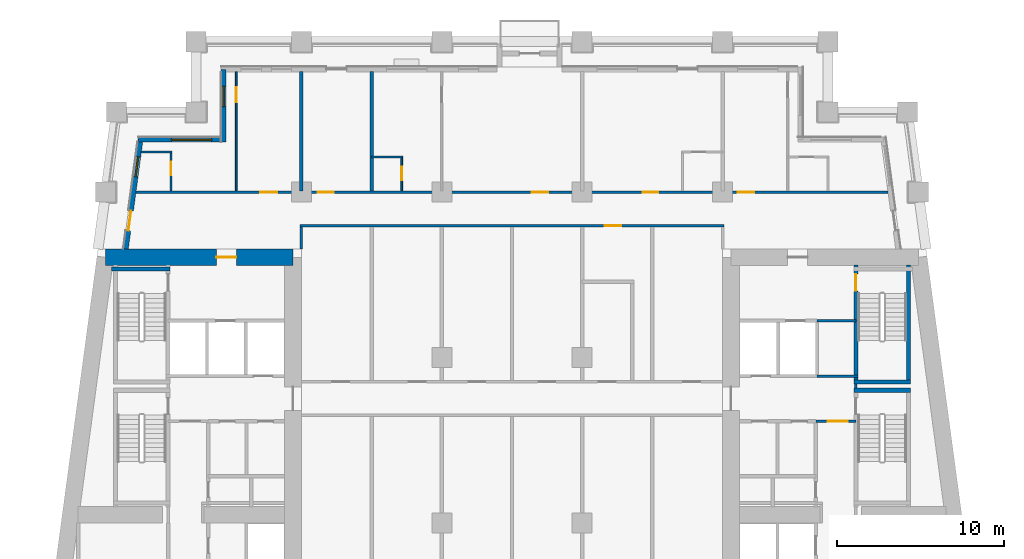
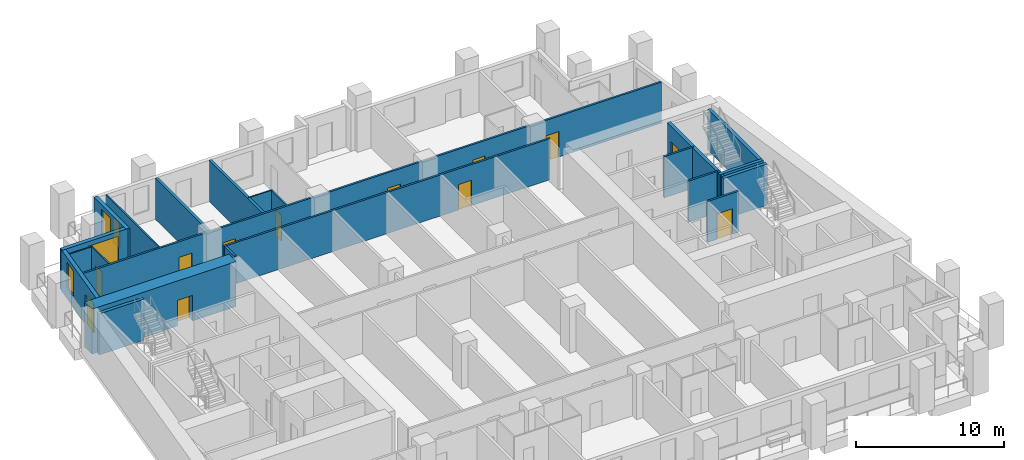
# One storey, part 6 of 13: 23 walls, 13 doors, 3 windows, 16 openings.
"""IFC4 building model written with IfcOpenShell, lengths in metres."""

from ifc_helpers import new_model, si_unit, direction, frame, frame_2d, origin, place, context, subcontext, project, spatial, rectangle, extrude, material, layer, layer_set, type_object, element, fill, save


model = new_model("IFC4")

# Units and contexts
model_context = context("Model", 3, precision=1e-05, world=origin(), true_north=direction((0.0, 1.0)))
body_context = subcontext(model_context, "Body", "Model", "MODEL_VIEW")
ifc_project = project(units=[si_unit("LENGTHUNIT", "METRE"), si_unit("AREAUNIT", "SQUARE_METRE"), si_unit("VOLUMEUNIT", "CUBIC_METRE"), si_unit("PLANEANGLEUNIT", "RADIAN"), si_unit("MASSUNIT", "GRAM", prefix="KILO")], contexts=[model_context])

# Site, building, storey
site_placement = place(None, origin())
site = spatial("IfcSite", under=ifc_project, at=site_placement, CompositionType="ELEMENT")
building_placement = place(site_placement, origin())
building = spatial("IfcBuilding", under=site, at=building_placement, Name="Candeia Pilgrim Tower and Theatre", CompositionType="ELEMENT")
storey_placement = place(building_placement, frame((0.0, 0.0, 102.10009765625)))
storey = spatial("IfcBuildingStorey", under=building, at=storey_placement, Name="L23", CompositionType="ELEMENT", Elevation=102.10009765625)

# Wall, opening, door
ifc_material_1 = material(Name="Concrete C70/85", Category="concrete")
ifc_layer_1 = layer(ifc_material_1, 1.0)
ifc_layer_set_1 = layer_set([ifc_layer_1], Name="Core wall 1000 C70/85")
wall_type_1 = type_object("IfcWallType", Name="Core wall 1000 C70/85", PredefinedType="SHEAR", material=ifc_layer_set_1)
wall_1_placement = place(storey_placement, frame((89.06787109375, 131.89990234375, 0.0), z_axis=(0.0, 0.0, 1.0), x_axis=(1.0, 0.0, 0.0)))
wall_1 = element("IfcWall", 1, at=wall_1_placement, inside=storey, type_object=wall_type_1, Name="Core wall W1", PredefinedType="SHEAR", context=body_context, shape_type="SweptSolid", body=[
    extrude(rectangle(XDim=11.232177734375, YDim=1.0, at=frame_2d((5.6162109375, 0.0))), origin(), (0.0, 0.0, 1.0), 3.699951171875),
])
opening_1_placement = place(wall_1_placement, frame((6.6455078125, 0.0, 0.0)))
opening_1 = element("IfcOpeningElement", 2, at=opening_1_placement, cuts=wall_1, Name="Opening L23-D060", PredefinedType="OPENING", context=body_context, shape_type="SweptSolid", body=[
    extrude(rectangle(XDim=1.199951171875, YDim=2.10009765625, at=frame_2d((0.60009765625, 1.050048828125))), frame((0.0, 0.510009765625, 0.0), z_axis=(0.0, -1.0, 0.0), x_axis=(1.0, 0.0, 0.0)), (0.0, 0.0, 1.0), 1.02001953125),
])
ifc_material_2 = material(Name="Steel fire door set", Category="steel")
door_type_1 = type_object("IfcDoorType", Name="D-1200-FD60", OperationType="NOTDEFINED", PredefinedType="DOOR", material=ifc_material_2)
door_1_placement = place(opening_1_placement, origin())
door_1 = element("IfcDoor", 3, at=door_1_placement, inside=storey, type_object=door_type_1, Name="Door L23-D060", OperationType="SINGLE_SWING_LEFT", OverallHeight=2.10009765625, OverallWidth=1.199951171875, PredefinedType="DOOR", context=body_context, shape_type="SweptSolid", body=[
    extrude(rectangle(XDim=1.199951171875, YDim=2.10009765625, at=frame_2d((0.60009765625, 1.050048828125))), frame((0.0, 0.02490234375, 0.0), z_axis=(0.0, -1.0, 0.0), x_axis=(1.0, 0.0, 0.0)), (0.0, 0.0, 1.0), 0.050048828125),
])
fill(opening_1, door_1)

# Wall, opening, window
ifc_material_3 = material(Name="Ceramic block masonry", Category="masonry")
ifc_layer_2 = layer(ifc_material_3, 0.300048828125)
ifc_layer_set_2 = layer_set([ifc_layer_2], Name="EW1 glazing-line wall 300")
wall_type_2 = type_object("IfcWallType", Name="EW1 glazing-line wall 300", PredefinedType="SOLIDWALL", material=ifc_layer_set_2)
wall_2_placement = place(storey_placement, frame((96.14990234375, 143.14990234375, 0.0), z_axis=(0.0, 0.0, 1.0), x_axis=(0.0, -1.0, 0.0)))
wall_2 = element("IfcWall", 4, at=wall_2_placement, inside=storey, type_object=wall_type_2, Name="External wall L23-7.0", PredefinedType="SOLIDWALL", context=body_context, shape_type="SweptSolid", body=[
    extrude(rectangle(XDim=4.349853515625, YDim=0.300048828125, at=frame_2d((2.1748046875, 0.0))), origin(), (0.0, 0.0, 1.0), 3.3798828125),
])
opening_2_placement = place(wall_2_placement, frame((1.02490234375, 0.0, 0.89990234375)))
opening_2 = element("IfcOpeningElement", 5, at=opening_2_placement, cuts=wall_2, Name="Opening W-B", PredefinedType="OPENING", context=body_context, shape_type="SweptSolid", body=[
    extrude(rectangle(XDim=1.199951171875, YDim=2.10009765625, at=frame_2d((0.60009765625, 1.050048828125))), frame((0.0, 0.16015625, 0.0), z_axis=(0.0, -1.0, 0.0), x_axis=(1.0, 0.0, 0.0)), (0.0, 0.0, 1.0), 0.320068359375),
])
ifc_material_4 = material(Name="Aluminium framed double glazing", Category="aluminium")
window_type_1 = type_object("IfcWindowType", Name="W-B window 1200x2100", PartitioningType="SINGLE_PANEL", PredefinedType="WINDOW", material=ifc_material_4)
window_1_placement = place(opening_2_placement, origin())
window_1 = element("IfcWindow", 6, at=window_1_placement, inside=storey, type_object=window_type_1, Name="Window W-B L23", OverallHeight=2.10009765625, OverallWidth=1.199951171875, PartitioningType="SINGLE_PANEL", PredefinedType="WINDOW", context=body_context, shape_type="SweptSolid", body=[
    extrude(rectangle(XDim=1.199951171875, YDim=2.10009765625, at=frame_2d((0.60009765625, 1.050048828125))), frame((0.0, 0.030029296875, 0.0), z_axis=(0.0, -1.0, 0.0), x_axis=(1.0, 0.0, 0.0)), (0.0, 0.0, 1.0), 0.06005859375),
])
fill(opening_2, window_1)

wall_3_placement = place(storey_placement, frame((96.14990234375, 138.949951171875, 0.0), z_axis=(0.0, 0.0, 1.0), x_axis=(-1.0, 0.0, 0.0)))
wall_3 = element("IfcWall", 7, at=wall_3_placement, inside=storey, type_object=wall_type_2, Name="External wall L23-8.0", PredefinedType="SOLIDWALL", context=body_context, shape_type="SweptSolid", body=[
    extrude(rectangle(XDim=5.103759765625, YDim=0.300048828125, at=frame_2d((2.5517578125, 0.0))), origin(), (0.0, 0.0, 1.0), 3.3798828125),
])
opening_3_placement = place(wall_3_placement, frame((0.72509765625, 0.0, 0.89990234375)))
opening_3 = element("IfcOpeningElement", 8, at=opening_3_placement, cuts=wall_3, Name="Opening W-A", PredefinedType="OPENING", context=body_context, shape_type="SweptSolid", body=[
    extrude(rectangle(XDim=2.39990234375, YDim=2.10009765625, at=frame_2d((1.199951171875, 1.050048828125))), frame((0.0, 0.16015625, 0.0), z_axis=(0.0, -1.0, 0.0), x_axis=(1.0, 0.0, 0.0)), (0.0, 0.0, 1.0), 0.320068359375),
])
window_type_2 = type_object("IfcWindowType", Name="W-A window 2400x2100", PartitioningType="DOUBLE_PANEL_VERTICAL", PredefinedType="WINDOW", material=ifc_material_4)
window_2_placement = place(opening_3_placement, origin())
window_2 = element("IfcWindow", 9, at=window_2_placement, inside=storey, type_object=window_type_2, Name="Window W-A L23", OverallHeight=2.10009765625, OverallWidth=2.39990234375, PartitioningType="SINGLE_PANEL", PredefinedType="WINDOW", context=body_context, shape_type="SweptSolid", body=[
    extrude(rectangle(XDim=2.39990234375, YDim=2.10009765625, at=frame_2d((1.199951171875, 1.050048828125))), frame((0.0, 0.030029296875, 0.0), z_axis=(0.0, -1.0, 0.0), x_axis=(1.0, 0.0, 0.0)), (0.0, 0.0, 1.0), 0.06005859375),
])
fill(opening_3, window_2)

# Wall, openings, door, window
wall_4_placement = place(storey_placement, frame((91.177490234375, 138.949951171875, 0.0), z_axis=(0.0, 0.0, 1.0), x_axis=(-0.133426664613, -0.991058689065, 0.0)))
wall_4 = element("IfcWall", 10, at=wall_4_placement, inside=storey, type_object=wall_type_2, Name="External wall L23-9.0", PredefinedType="SOLIDWALL", context=body_context, shape_type="SweptSolid", body=[
    extrude(rectangle(XDim=6.609130859375, YDim=0.300048828125, at=frame_2d((3.3046875, 0.0))), origin(), (0.0, 0.0, 1.0), 3.3798828125),
])
opening_4_placement = place(wall_4_placement, frame((1.039306640625, 0.0, 0.89990234375)))
opening_4 = element("IfcOpeningElement", 11, at=opening_4_placement, cuts=wall_4, Name="Opening W-B", PredefinedType="OPENING", context=body_context, shape_type="SweptSolid", body=[
    extrude(rectangle(XDim=1.199951171875, YDim=2.10009765625, at=frame_2d((0.60009765625, 1.050048828125))), frame((0.0, 0.16015625, 0.0), z_axis=(0.0, -1.0, 0.0), x_axis=(1.0, 0.0, 0.0)), (0.0, 0.0, 1.0), 0.320068359375),
])
opening_5_placement = place(wall_4_placement, frame((4.293701171875, 0.0, 0.0)))
opening_5 = element("IfcOpeningElement", 12, at=opening_5_placement, cuts=wall_4, Name="Opening L23-ED240", PredefinedType="OPENING", context=body_context, shape_type="SweptSolid", body=[
    extrude(rectangle(XDim=1.199951171875, YDim=2.39990234375, at=frame_2d((0.60009765625, 1.199951171875))), frame((0.0, 0.16015625, 0.0), z_axis=(0.0, -1.0, 0.0), x_axis=(1.0, 0.0, 0.0)), (0.0, 0.0, 1.0), 0.320068359375),
])
ifc_material_5 = material(Name="Aluminium framed glazed door", Category="aluminium")
door_type_2 = type_object("IfcDoorType", Name="Loggia door 1200x2400", OperationType="DOUBLE_DOOR_SINGLE_SWING", PredefinedType="DOOR", material=ifc_material_5)
door_2_placement = place(opening_5_placement, origin())
door_2 = element("IfcDoor", 13, at=door_2_placement, inside=storey, type_object=door_type_2, Name="Loggia door L23-ED240", OperationType="DOUBLE_DOOR_SINGLE_SWING", OverallHeight=2.39990234375, OverallWidth=1.199951171875, PredefinedType="DOOR", context=body_context, shape_type="SweptSolid", body=[
    extrude(rectangle(XDim=1.199951171875, YDim=2.39990234375, at=frame_2d((0.60009765625, 1.199951171875))), frame((0.0, 0.02490234375, 0.0), z_axis=(0.0, -1.0, 0.0), x_axis=(1.0, 0.0, 0.0)), (0.0, 0.0, 1.0), 0.050048828125),
])
fill(opening_5, door_2)
window_3_placement = place(opening_4_placement, origin())
window_3 = element("IfcWindow", 14, at=window_3_placement, inside=storey, type_object=window_type_1, Name="Window W-B L23", OverallHeight=2.10009765625, OverallWidth=1.199951171875, PartitioningType="SINGLE_PANEL", PredefinedType="WINDOW", context=body_context, shape_type="SweptSolid", body=[
    extrude(rectangle(XDim=1.199951171875, YDim=2.10009765625, at=frame_2d((0.60009765625, 1.050048828125))), frame((0.0, 0.030029296875, 0.0), z_axis=(0.0, -1.0, 0.0), x_axis=(1.0, 0.0, 0.0)), (0.0, 0.0, 1.0), 0.06005859375),
])
fill(opening_4, window_3)

# Walls
ifc_material_6 = material(Name="Gypsum board partition on steel studs", Category="steel")
ifc_layer_3 = layer(ifc_material_6, 0.10009765625)
ifc_layer_set_3 = layer_set([ifc_layer_3], Name="PW-100 room partition")
wall_type_3 = type_object("IfcWallType", Name="PW-100 room partition", PredefinedType="PARTITIONING", material=ifc_layer_set_3)
wall_5_placement = place(storey_placement, frame((105.0, 137.89990234375, 0.0), z_axis=(0.0, 0.0, 1.0), x_axis=(1.0, 0.0, 0.0)))
element("IfcWall", 15, at=wall_5_placement, inside=storey, type_object=wall_type_3, Name="Room partition L23-044", PredefinedType="PARTITIONING", context=body_context, shape_type="SweptSolid", body=[
    extrude(rectangle(XDim=1.85009765625, YDim=0.10009765625, at=frame_2d((0.925048828125, 0.0))), origin(), (0.0, 0.0, 1.0), 3.3798828125),
])
wall_6_placement = place(storey_placement, frame((91.2177734375, 138.199951171875, 0.0), z_axis=(0.0, 0.0, 1.0), x_axis=(1.0, 0.0, 0.0)))
element("IfcWall", 16, at=wall_6_placement, inside=storey, type_object=wall_type_3, Name="Room partition L23-046", PredefinedType="PARTITIONING", context=body_context, shape_type="SweptSolid", body=[
    extrude(rectangle(XDim=1.832275390625, YDim=0.10009765625, at=frame_2d((0.916015625, 0.0))), origin(), (0.0, 0.0, 1.0), 3.3798828125),
])

# Wall, opening, door
wall_7_placement = place(storey_placement, frame((93.0, 135.875, 0.0), z_axis=(0.0, 0.0, 1.0), x_axis=(0.0, 1.0, 0.0)))
wall_7 = element("IfcWall", 17, at=wall_7_placement, inside=storey, type_object=wall_type_3, Name="Room partition L23-059", PredefinedType="PARTITIONING", context=body_context, shape_type="SweptSolid", body=[
    extrude(rectangle(XDim=2.27490234375, YDim=0.10009765625, at=frame_2d((1.137451171875, 0.0))), origin(), (0.0, 0.0, 1.0), 3.3798828125),
])
opening_6_placement = place(wall_7_placement, frame((0.949951171875, 0.0, 0.0)))
opening_6 = element("IfcOpeningElement", 18, at=opening_6_placement, cuts=wall_7, Name="Opening L23-D036", PredefinedType="OPENING", context=body_context, shape_type="SweptSolid", body=[
    extrude(rectangle(XDim=0.800048828125, YDim=2.10009765625, at=frame_2d((0.39990234375, 1.050048828125))), frame((0.0, 0.06005859375, 0.0), z_axis=(0.0, -1.0, 0.0), x_axis=(1.0, 0.0, 0.0)), (0.0, 0.0, 1.0), 0.1201171875),
])
ifc_material_7 = material(Name="Timber door leaf", Category="wood")
door_type_3 = type_object("IfcDoorType", Name="D-800", OperationType="NOTDEFINED", PredefinedType="DOOR", material=ifc_material_7)
door_3_placement = place(opening_6_placement, origin())
door_3 = element("IfcDoor", 19, at=door_3_placement, inside=storey, type_object=door_type_3, Name="Door L23-D036", OperationType="SINGLE_SWING_LEFT", OverallHeight=2.10009765625, OverallWidth=0.800048828125, PredefinedType="DOOR", context=body_context, shape_type="SweptSolid", body=[
    extrude(rectangle(XDim=0.800048828125, YDim=2.10009765625, at=frame_2d((0.39990234375, 1.050048828125))), frame((0.0, 0.02490234375, 0.0), z_axis=(0.0, -1.0, 0.0), x_axis=(1.0, 0.0, 0.0)), (0.0, 0.0, 1.0), 0.050048828125),
])
fill(opening_6, door_3)

wall_8_placement = place(storey_placement, frame((96.89990234375, 135.875, 0.0), z_axis=(0.0, 0.0, 1.0), x_axis=(0.0, 1.0, 0.0)))
wall_8 = element("IfcWall", 20, at=wall_8_placement, inside=storey, type_object=wall_type_3, Name="Room partition L23-066", PredefinedType="PARTITIONING", context=body_context, shape_type="SweptSolid", body=[
    extrude(rectangle(XDim=7.135009765625, YDim=0.10009765625, at=frame_2d((3.5673828125, 0.0))), origin(), (0.0, 0.0, 1.0), 3.3798828125),
])
opening_7_placement = place(wall_8_placement, frame((5.2900390625, 0.0, 0.0)))
opening_7 = element("IfcOpeningElement", 21, at=opening_7_placement, cuts=wall_8, Name="Opening L23-D035", PredefinedType="OPENING", context=body_context, shape_type="SweptSolid", body=[
    extrude(rectangle(XDim=0.89990234375, YDim=2.10009765625, at=frame_2d((0.449951171875, 1.050048828125))), frame((0.0, 0.06005859375, 0.0), z_axis=(0.0, -1.0, 0.0), x_axis=(1.0, 0.0, 0.0)), (0.0, 0.0, 1.0), 0.1201171875),
])
door_type_4 = type_object("IfcDoorType", Name="D-900", OperationType="NOTDEFINED", PredefinedType="DOOR", material=ifc_material_7)
door_4_placement = place(opening_7_placement, origin())
door_4 = element("IfcDoor", 22, at=door_4_placement, inside=storey, type_object=door_type_4, Name="Door L23-D035", OperationType="SINGLE_SWING_RIGHT", OverallHeight=2.10009765625, OverallWidth=0.89990234375, PredefinedType="DOOR", context=body_context, shape_type="SweptSolid", body=[
    extrude(rectangle(XDim=0.89990234375, YDim=2.10009765625, at=frame_2d((0.449951171875, 1.050048828125))), frame((0.0, 0.02490234375, 0.0), z_axis=(0.0, -1.0, 0.0), x_axis=(1.0, 0.0, 0.0)), (0.0, 0.0, 1.0), 0.050048828125),
])
fill(opening_7, door_4)

wall_9_placement = place(storey_placement, frame((106.800048828125, 135.875, 0.0), z_axis=(0.0, 0.0, 1.0), x_axis=(0.0, 1.0, 0.0)))
wall_9 = element("IfcWall", 23, at=wall_9_placement, inside=storey, type_object=wall_type_3, Name="Room partition L23-080", PredefinedType="PARTITIONING", context=body_context, shape_type="SweptSolid", body=[
    extrude(rectangle(XDim=1.97509765625, YDim=0.10009765625, at=frame_2d((0.987548828125, 0.0))), origin(), (0.0, 0.0, 1.0), 3.3798828125),
])
opening_8_placement = place(wall_9_placement, frame((0.635009765625, 0.0, 0.0)))
opening_8 = element("IfcOpeningElement", 24, at=opening_8_placement, cuts=wall_9, Name="Opening L23-D040", PredefinedType="OPENING", context=body_context, shape_type="SweptSolid", body=[
    extrude(rectangle(XDim=0.800048828125, YDim=2.10009765625, at=frame_2d((0.39990234375, 1.050048828125))), frame((0.0, 0.06005859375, 0.0), z_axis=(0.0, -1.0, 0.0), x_axis=(1.0, 0.0, 0.0)), (0.0, 0.0, 1.0), 0.1201171875),
])
door_5_placement = place(opening_8_placement, origin())
door_5 = element("IfcDoor", 25, at=door_5_placement, inside=storey, type_object=door_type_3, Name="Door L23-D040", OperationType="SINGLE_SWING_LEFT", OverallHeight=2.10009765625, OverallWidth=0.800048828125, PredefinedType="DOOR", context=body_context, shape_type="SweptSolid", body=[
    extrude(rectangle(XDim=0.800048828125, YDim=2.10009765625, at=frame_2d((0.39990234375, 1.050048828125))), frame((0.0, 0.02490234375, 0.0), z_axis=(0.0, -1.0, 0.0), x_axis=(1.0, 0.0, 0.0)), (0.0, 0.0, 1.0), 0.050048828125),
])
fill(opening_8, door_5)

ifc_layer_4 = layer(ifc_material_6, 0.14990234375)
ifc_layer_set_4 = layer_set([ifc_layer_4], Name="PW-150 lobby wall")
wall_type_4 = type_object("IfcWallType", Name="PW-150 lobby wall", PredefinedType="PARTITIONING", material=ifc_layer_set_4)
wall_10_placement = place(storey_placement, frame((131.572998046875, 122.10009765625, 0.0), z_axis=(0.0, 0.0, 1.0), x_axis=(1.0, 0.0, 0.0)))
wall_10 = element("IfcWall", 26, at=wall_10_placement, inside=storey, type_object=wall_type_4, Name="Lobby wall L23-026", PredefinedType="PARTITIONING", context=body_context, shape_type="SweptSolid", body=[
    extrude(rectangle(XDim=2.39990234375, YDim=0.14990234375, at=frame_2d((1.199951171875, 0.0))), origin(), (0.0, 0.0, 1.0), 3.3798828125),
])
opening_9_placement = place(wall_10_placement, frame((0.72509765625, 0.0, 0.0)))
opening_9 = element("IfcOpeningElement", 27, at=opening_9_placement, cuts=wall_10, Name="Opening L23-D009", PredefinedType="OPENING", context=body_context, shape_type="SweptSolid", body=[
    extrude(rectangle(XDim=1.199951171875, YDim=2.10009765625, at=frame_2d((0.60009765625, 1.050048828125))), frame((0.0, 0.0849609375, 0.0), z_axis=(0.0, -1.0, 0.0), x_axis=(1.0, 0.0, 0.0)), (0.0, 0.0, 1.0), 0.169921875),
])
door_6_placement = place(opening_9_placement, origin())
door_6 = element("IfcDoor", 28, at=door_6_placement, inside=storey, type_object=door_type_1, Name="Door L23-D009", OperationType="SINGLE_SWING_LEFT", OverallHeight=2.10009765625, OverallWidth=1.199951171875, PredefinedType="DOOR", context=body_context, shape_type="SweptSolid", body=[
    extrude(rectangle(XDim=1.199951171875, YDim=2.10009765625, at=frame_2d((0.60009765625, 1.050048828125))), frame((0.0, 0.02490234375, 0.0), z_axis=(0.0, -1.0, 0.0), x_axis=(1.0, 0.0, 0.0)), (0.0, 0.0, 1.0), 0.050048828125),
])
fill(opening_9, door_6)

# Walls
wall_11_placement = place(storey_placement, frame((131.648681640625, 124.800048828125, 0.0), z_axis=(0.0, 0.0, 1.0), x_axis=(1.0, 0.0, 0.0)))
element("IfcWall", 29, at=wall_11_placement, inside=storey, type_object=wall_type_4, Name="Lobby wall L23-035", PredefinedType="PARTITIONING", context=body_context, shape_type="SweptSolid", body=[
    extrude(rectangle(XDim=2.44921875, YDim=0.14990234375, at=frame_2d((1.224609375, 0.0))), origin(), (0.0, 0.0, 1.0), 3.3798828125),
])
wall_12_placement = place(storey_placement, frame((131.648681640625, 128.10009765625, 0.0), z_axis=(0.0, 0.0, 1.0), x_axis=(1.0, 0.0, 0.0)))
element("IfcWall", 30, at=wall_12_placement, inside=storey, type_object=wall_type_4, Name="Lobby wall L23-038", PredefinedType="PARTITIONING", context=body_context, shape_type="SweptSolid", body=[
    extrude(rectangle(XDim=2.32421875, YDim=0.14990234375, at=frame_2d((1.162109375, 0.0))), origin(), (0.0, 0.0, 1.0), 3.3798828125),
])
wall_13_placement = place(storey_placement, frame((133.972900390625, 124.074951171875, 0.0), z_axis=(0.0, 0.0, 1.0), x_axis=(0.0, 1.0, 0.0)))
element("IfcWall", 31, at=wall_13_placement, inside=storey, type_object=wall_type_4, Name="Lobby wall L23-116", PredefinedType="PARTITIONING", context=body_context, shape_type="SweptSolid", body=[
    extrude(rectangle(XDim=0.25, YDim=0.14990234375, at=frame_2d((0.125, 0.0))), origin(), (0.0, 0.0, 1.0), 3.3798828125),
])

# Wall, opening, door
ifc_layer_5 = layer(ifc_material_6, 0.14990234375)
ifc_layer_set_5 = layer_set([ifc_layer_5], Name="PW-150 unit wall")
wall_type_5 = type_object("IfcWallType", Name="PW-150 unit wall", PredefinedType="PARTITIONING", material=ifc_layer_set_5)
wall_14_placement = place(storey_placement, frame((100.72509765625, 133.800048828125, 0.0), z_axis=(0.0, 0.0, 1.0), x_axis=(1.0, 0.0, 0.0)))
wall_14 = element("IfcWall", 32, at=wall_14_placement, inside=storey, type_object=wall_type_5, Name="Unit wall L23-042", PredefinedType="PARTITIONING", context=body_context, shape_type="SweptSolid", body=[
    extrude(rectangle(XDim=25.349853515625, YDim=0.14990234375, at=frame_2d((12.6748046875, 0.0))), origin(), (0.0, 0.0, 1.0), 3.3798828125),
])
opening_10_placement = place(wall_14_placement, frame((18.22509765625, 0.0, 0.0)))
opening_10 = element("IfcOpeningElement", 33, at=opening_10_placement, cuts=wall_14, Name="Opening L23-D046", PredefinedType="OPENING", context=body_context, shape_type="SweptSolid", body=[
    extrude(rectangle(XDim=1.0, YDim=2.10009765625, at=frame_2d((0.5, 1.050048828125))), frame((0.0, 0.0849609375, 0.0), z_axis=(0.0, -1.0, 0.0), x_axis=(1.0, 0.0, 0.0)), (0.0, 0.0, 1.0), 0.169921875),
])
door_type_5 = type_object("IfcDoorType", Name="D-1000-FD30S", OperationType="NOTDEFINED", PredefinedType="DOOR", material=ifc_material_2)
door_7_placement = place(opening_10_placement, origin())
door_7 = element("IfcDoor", 34, at=door_7_placement, inside=storey, type_object=door_type_5, Name="Door L23-D046", OperationType="SINGLE_SWING_LEFT", OverallHeight=2.10009765625, OverallWidth=1.0, PredefinedType="DOOR", context=body_context, shape_type="SweptSolid", body=[
    extrude(rectangle(XDim=1.0, YDim=2.10009765625, at=frame_2d((0.5, 1.050048828125))), frame((0.0, 0.02490234375, 0.0), z_axis=(0.0, -1.0, 0.0), x_axis=(1.0, 0.0, 0.0)), (0.0, 0.0, 1.0), 0.050048828125),
])
fill(opening_10, door_7)

# Wall, openings, doors
wall_15_placement = place(storey_placement, frame((90.89453125, 135.800048828125, 0.0), z_axis=(0.0, 0.0, 1.0), x_axis=(1.0, 0.0, 0.0)))
wall_15 = element("IfcWall", 35, at=wall_15_placement, inside=storey, type_object=wall_type_5, Name="Unit wall L23-043", PredefinedType="PARTITIONING", context=body_context, shape_type="SweptSolid", body=[
    extrude(rectangle(XDim=45.010986328125, YDim=0.14990234375, at=frame_2d((22.50537109375, 0.0))), origin(), (0.0, 0.0, 1.0), 3.3798828125),
])
opening_11_placement = place(wall_15_placement, frame((7.455322265625, 0.0, 0.0)))
opening_11 = element("IfcOpeningElement", 36, at=opening_11_placement, cuts=wall_15, Name="Opening L23-D034", PredefinedType="OPENING", context=body_context, shape_type="SweptSolid", body=[
    extrude(rectangle(XDim=1.0, YDim=2.10009765625, at=frame_2d((0.5, 1.050048828125))), frame((0.0, 0.0849609375, 0.0), z_axis=(0.0, -1.0, 0.0), x_axis=(1.0, 0.0, 0.0)), (0.0, 0.0, 1.0), 0.169921875),
])
opening_12_placement = place(wall_15_placement, frame((10.892333984375, 0.0, 0.0)))
opening_12 = element("IfcOpeningElement", 37, at=opening_12_placement, cuts=wall_15, Name="Opening L23-D037", PredefinedType="OPENING", context=body_context, shape_type="SweptSolid", body=[
    extrude(rectangle(XDim=0.949951171875, YDim=2.10009765625, at=frame_2d((0.47509765625, 1.050048828125))), frame((0.0, 0.0849609375, 0.0), z_axis=(0.0, -1.0, 0.0), x_axis=(1.0, 0.0, 0.0)), (0.0, 0.0, 1.0), 0.169921875),
])
opening_13_placement = place(wall_15_placement, frame((23.680419921875, 0.0, 0.0)))
opening_13 = element("IfcOpeningElement", 38, at=opening_13_placement, cuts=wall_15, Name="Opening L23-D038", PredefinedType="OPENING", context=body_context, shape_type="SweptSolid", body=[
    extrude(rectangle(XDim=1.0, YDim=2.10009765625, at=frame_2d((0.5, 1.050048828125))), frame((0.0, 0.0849609375, 0.0), z_axis=(0.0, -1.0, 0.0), x_axis=(1.0, 0.0, 0.0)), (0.0, 0.0, 1.0), 0.169921875),
])
opening_14_placement = place(wall_15_placement, frame((30.318359375, 0.0, 0.0)))
opening_14 = element("IfcOpeningElement", 39, at=opening_14_placement, cuts=wall_15, Name="Opening L23-D041", PredefinedType="OPENING", context=body_context, shape_type="SweptSolid", body=[
    extrude(rectangle(XDim=0.949951171875, YDim=2.10009765625, at=frame_2d((0.47509765625, 1.050048828125))), frame((0.0, 0.0849609375, 0.0), z_axis=(0.0, -1.0, 0.0), x_axis=(1.0, 0.0, 0.0)), (0.0, 0.0, 1.0), 0.169921875),
])
opening_15_placement = place(wall_15_placement, frame((36.00537109375, 0.0, 0.0)))
opening_15 = element("IfcOpeningElement", 40, at=opening_15_placement, cuts=wall_15, Name="Opening L23-D043", PredefinedType="OPENING", context=body_context, shape_type="SweptSolid", body=[
    extrude(rectangle(XDim=1.0, YDim=2.10009765625, at=frame_2d((0.5, 1.050048828125))), frame((0.0, 0.0849609375, 0.0), z_axis=(0.0, -1.0, 0.0), x_axis=(1.0, 0.0, 0.0)), (0.0, 0.0, 1.0), 0.169921875),
])
door_8_placement = place(opening_11_placement, origin())
door_8 = element("IfcDoor", 41, at=door_8_placement, inside=storey, type_object=door_type_5, Name="Door L23-D034", OperationType="SINGLE_SWING_LEFT", OverallHeight=2.10009765625, OverallWidth=1.0, PredefinedType="DOOR", context=body_context, shape_type="SweptSolid", body=[
    extrude(rectangle(XDim=1.0, YDim=2.10009765625, at=frame_2d((0.5, 1.050048828125))), frame((0.0, 0.02490234375, 0.0), z_axis=(0.0, -1.0, 0.0), x_axis=(1.0, 0.0, 0.0)), (0.0, 0.0, 1.0), 0.050048828125),
])
fill(opening_11, door_8)
door_9_placement = place(opening_13_placement, origin())
door_9 = element("IfcDoor", 42, at=door_9_placement, inside=storey, type_object=door_type_5, Name="Door L23-D038", OperationType="SINGLE_SWING_LEFT", OverallHeight=2.10009765625, OverallWidth=1.0, PredefinedType="DOOR", context=body_context, shape_type="SweptSolid", body=[
    extrude(rectangle(XDim=1.0, YDim=2.10009765625, at=frame_2d((0.5, 1.050048828125))), frame((0.0, 0.02490234375, 0.0), z_axis=(0.0, -1.0, 0.0), x_axis=(1.0, 0.0, 0.0)), (0.0, 0.0, 1.0), 0.050048828125),
])
fill(opening_13, door_9)
door_10_placement = place(opening_15_placement, origin())
door_10 = element("IfcDoor", 43, at=door_10_placement, inside=storey, type_object=door_type_5, Name="Door L23-D043", OperationType="SINGLE_SWING_RIGHT", OverallHeight=2.10009765625, OverallWidth=1.0, PredefinedType="DOOR", context=body_context, shape_type="SweptSolid", body=[
    extrude(rectangle(XDim=1.0, YDim=2.10009765625, at=frame_2d((0.5, 1.050048828125))), frame((0.0, 0.02490234375, 0.0), z_axis=(0.0, -1.0, 0.0), x_axis=(1.0, 0.0, 0.0)), (0.0, 0.0, 1.0), 0.050048828125),
])
fill(opening_15, door_10)
door_type_6 = type_object("IfcDoorType", Name="D-950-FD30S", OperationType="NOTDEFINED", PredefinedType="DOOR", material=ifc_material_2)
door_11_placement = place(opening_12_placement, origin())
door_11 = element("IfcDoor", 44, at=door_11_placement, inside=storey, type_object=door_type_6, Name="Door L23-D037", OperationType="SINGLE_SWING_RIGHT", OverallHeight=2.10009765625, OverallWidth=0.949951171875, PredefinedType="DOOR", context=body_context, shape_type="SweptSolid", body=[
    extrude(rectangle(XDim=0.949951171875, YDim=2.10009765625, at=frame_2d((0.47509765625, 1.050048828125))), frame((0.0, 0.02490234375, 0.0), z_axis=(0.0, -1.0, 0.0), x_axis=(1.0, 0.0, 0.0)), (0.0, 0.0, 1.0), 0.050048828125),
])
fill(opening_12, door_11)
door_12_placement = place(opening_14_placement, origin())
door_12 = element("IfcDoor", 45, at=door_12_placement, inside=storey, type_object=door_type_6, Name="Door L23-D041", OperationType="SINGLE_SWING_RIGHT", OverallHeight=2.10009765625, OverallWidth=0.949951171875, PredefinedType="DOOR", context=body_context, shape_type="SweptSolid", body=[
    extrude(rectangle(XDim=0.949951171875, YDim=2.10009765625, at=frame_2d((0.47509765625, 1.050048828125))), frame((0.0, 0.02490234375, 0.0), z_axis=(0.0, -1.0, 0.0), x_axis=(1.0, 0.0, 0.0)), (0.0, 0.0, 1.0), 0.050048828125),
])
fill(opening_14, door_12)

# Walls
wall_16_placement = place(storey_placement, frame((100.800048828125, 132.39990234375, 0.0), z_axis=(0.0, 0.0, 1.0), x_axis=(0.0, 1.0, 0.0)))
element("IfcWall", 46, at=wall_16_placement, inside=storey, type_object=wall_type_5, Name="Unit wall L23-074", PredefinedType="PARTITIONING", context=body_context, shape_type="SweptSolid", body=[
    extrude(rectangle(XDim=1.3251953125, YDim=0.14990234375, at=frame_2d((0.66259765625, 0.0))), origin(), (0.0, 0.0, 1.0), 3.3798828125),
])
ifc_layer_6 = layer(ifc_material_6, 0.199951171875)
ifc_layer_set_6 = layer_set([ifc_layer_6], Name="PW-200 party wall")
wall_type_6 = type_object("IfcWallType", Name="PW-200 party wall", PredefinedType="PARTITIONING", material=ifc_layer_set_6)
for number, where, z_axis, x_axis, name in (
    (47, (100.800048828125, 135.875, 0.0), (0.0, 0.0, 1.0), (0.0, 1.0, 0.0), "Party wall L23-072"),
    (48, (105.0, 135.875, 0.0), (0.0, 0.0, 1.0), (0.0, 1.0, 0.0), "Party wall L23-078"),
):
    element("IfcWall", number, at=place(storey_placement, frame(where, z_axis=z_axis, x_axis=x_axis)), inside=storey, type_object=wall_type_6, Name=name, PredefinedType="PARTITIONING", context=body_context, shape_type="SweptSolid", body=[
        extrude(rectangle(XDim=7.135009765625, YDim=0.199951171875, at=frame_2d((3.5673828125, 0.0))), origin(), (0.0, 0.0, 1.0), 3.3798828125),
    ])
ifc_material_8 = material(Name="Concrete C40/50", Category="concrete")
ifc_layer_7 = layer(ifc_material_8, 0.25)
ifc_layer_set_7 = layer_set([ifc_layer_7], Name="SW-250 stair wall")
wall_type_7 = type_object("IfcWallType", Name="SW-250 stair wall", PredefinedType="PARTITIONING", material=ifc_layer_set_7)
for number, where, z_axis, x_axis, name in (
    (49, (133.847900390625, 123.949951171875, 0.0), (0.0, 0.0, 1.0), (1.0, 0.0, 0.0), "Stair wall L23-029"),
    (50, (133.847900390625, 124.449951171875, 0.0), (0.0, 0.0, 1.0), (1.0, 0.0, 0.0), "Stair wall L23-031"),
):
    element("IfcWall", number, at=place(storey_placement, frame(where, z_axis=z_axis, x_axis=x_axis)), inside=storey, type_object=wall_type_7, Name=name, PredefinedType="PARTITIONING", context=body_context, shape_type="SweptSolid", body=[
        extrude(rectangle(XDim=3.400146484375, YDim=0.25, at=frame_2d((1.7001953125, 0.0))), origin(), (0.0, 0.0, 1.0), 3.3798828125),
    ])
wall_17_placement = place(storey_placement, frame((89.4482421875, 131.199951171875, 0.0), z_axis=(0.0, 0.0, 1.0), x_axis=(1.0, 0.0, 0.0)))
element("IfcWall", 51, at=wall_17_placement, inside=storey, type_object=wall_type_7, Name="Stair wall L23-040", PredefinedType="PARTITIONING", context=body_context, shape_type="SweptSolid", body=[
    extrude(rectangle(XDim=3.503662109375, YDim=0.25, at=frame_2d((1.751953125, 0.0))), origin(), (0.0, 0.0, 1.0), 3.3798828125),
])

# Wall, opening, door
wall_18_placement = place(storey_placement, frame((133.972900390625, 124.574951171875, 0.0), z_axis=(0.0, 0.0, 1.0), x_axis=(0.0, 1.0, 0.0)))
wall_18 = element("IfcWall", 52, at=wall_18_placement, inside=storey, type_object=wall_type_7, Name="Stair wall L23-118", PredefinedType="PARTITIONING", context=body_context, shape_type="SweptSolid", body=[
    extrude(rectangle(XDim=6.85498046875, YDim=0.25, at=frame_2d((3.427490234375, 0.0))), origin(), (0.0, 0.0, 1.0), 3.3798828125),
])
opening_16_placement = place(wall_18_placement, frame((5.324951171875, 0.0, 0.0)))
opening_16 = element("IfcOpeningElement", 53, at=opening_16_placement, cuts=wall_18, Name="Opening L23-D013", PredefinedType="OPENING", context=body_context, shape_type="SweptSolid", body=[
    extrude(rectangle(XDim=1.0, YDim=2.10009765625, at=frame_2d((0.5, 1.050048828125))), frame((0.0, 0.135009765625, 0.0), z_axis=(0.0, -1.0, 0.0), x_axis=(1.0, 0.0, 0.0)), (0.0, 0.0, 1.0), 0.27001953125),
])
door_type_7 = type_object("IfcDoorType", Name="D-1000-FD60", OperationType="NOTDEFINED", PredefinedType="DOOR", material=ifc_material_2)
door_13_placement = place(opening_16_placement, origin())
door_13 = element("IfcDoor", 54, at=door_13_placement, inside=storey, type_object=door_type_7, Name="Door L23-D013", OperationType="SINGLE_SWING_LEFT", OverallHeight=2.10009765625, OverallWidth=1.0, PredefinedType="DOOR", context=body_context, shape_type="SweptSolid", body=[
    extrude(rectangle(XDim=1.0, YDim=2.10009765625, at=frame_2d((0.5, 1.050048828125))), frame((0.0, 0.02490234375, 0.0), z_axis=(0.0, -1.0, 0.0), x_axis=(1.0, 0.0, 0.0)), (0.0, 0.0, 1.0), 0.050048828125),
])
fill(opening_16, door_13)

# Wall
wall_19_placement = place(storey_placement, frame((137.123046875, 124.574951171875, 0.0), z_axis=(0.0, 0.0, 1.0), x_axis=(0.0, 1.0, 0.0)))
element("IfcWall", 55, at=wall_19_placement, inside=storey, type_object=wall_type_7, Name="Stair wall L23-122", PredefinedType="PARTITIONING", context=body_context, shape_type="SweptSolid", body=[
    extrude(rectangle(XDim=6.85498046875, YDim=0.25, at=frame_2d((3.427490234375, 0.0))), origin(), (0.0, 0.0, 1.0), 3.3798828125),
])

save(model, "model.ifc")
